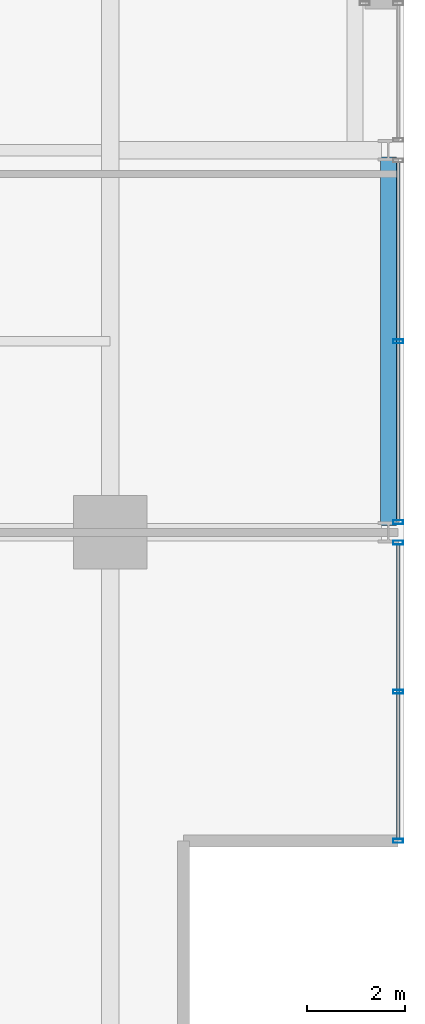
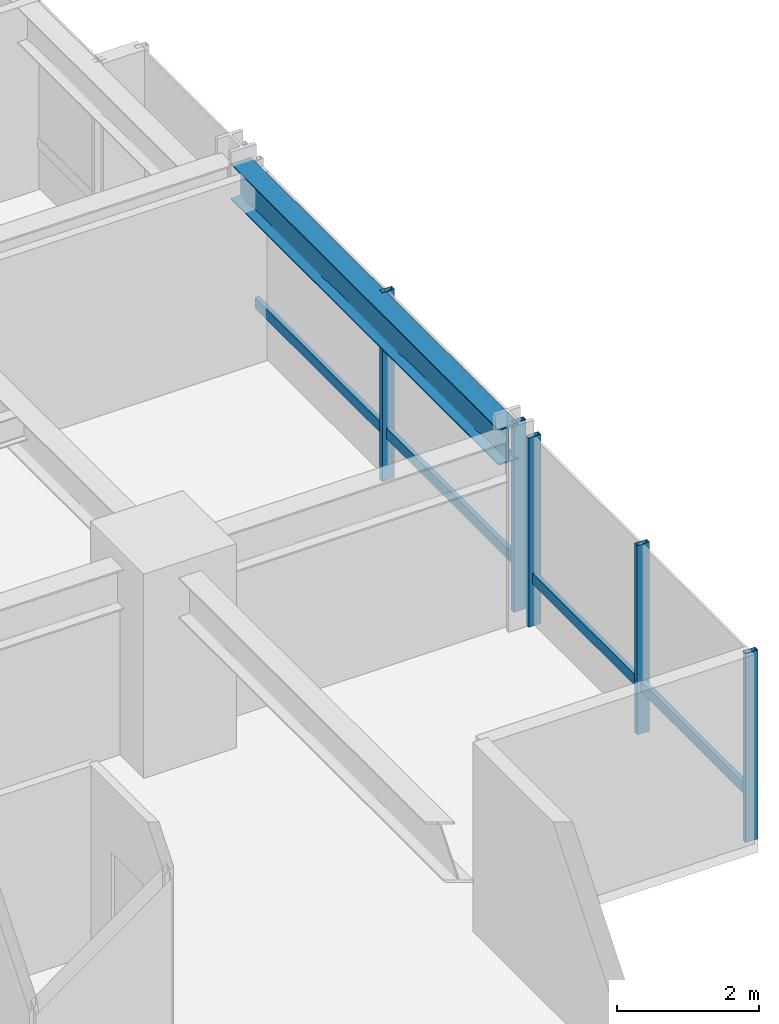
# One storey, part 13 of 35: 7 members, 1 beam, 2 elements without a shape of their own.
"""IFC4 building model written with IfcOpenShell, lengths in metres."""

from ifc_helpers import new_model, si_unit, direction, frame, origin, origin_2d, place, context, subcontext, project, spatial, hollow_rectangle, i_section, extrude, material, layer, layer_set, material_profile, profile_set, type_object, element, aggregate, save


model = new_model("IFC4")

# Units and contexts
model_context = context("Model", 3, precision=1e-05, world=origin(), true_north=direction((0.0, 1.0)))
body_context = subcontext(model_context, "Body", "Model", "MODEL_VIEW")
ifc_project = project(units=[si_unit("LENGTHUNIT", "METRE"), si_unit("AREAUNIT", "SQUARE_METRE"), si_unit("VOLUMEUNIT", "CUBIC_METRE"), si_unit("PLANEANGLEUNIT", "RADIAN"), si_unit("MASSUNIT", "GRAM", prefix="KILO")], contexts=[model_context])

# Site, building, storey
site_placement = place(None, origin())
site = spatial("IfcSite", under=ifc_project, at=site_placement, CompositionType="ELEMENT")
building_placement = place(site_placement, origin())
building = spatial("IfcBuilding", under=site, at=building_placement, Name="Drelvath Grand Hotel", CompositionType="ELEMENT")
storey_placement = place(building_placement, frame((0.0, 0.0, 130.300048828125)))
storey = spatial("IfcBuildingStorey", under=building, at=storey_placement, Name="L33", CompositionType="ELEMENT", Elevation=130.300048828125)

# Curtain wall, member
ifc_material_1 = material(Name="Champagne Bronze Anodised Aluminium Frame", Category="aluminium")
ifc_layer = layer(ifc_material_1, 0.199951171875)
ifc_layer_set = layer_set([ifc_layer], Name="Champagne Bronze Anodised Aluminium Frame")
curtain_wall_type = type_object("IfcCurtainWallType", Name="Stick Curtain Wall CW-03 Champagne Bronze Mid-Rise", PredefinedType="NOTDEFINED", material=ifc_layer_set)
curtain_wall_1_placement = place(storey_placement, origin())
curtain_wall_1 = element("IfcCurtainWall", 1, at=curtain_wall_1_placement, inside=storey, type_object=curtain_wall_type, Name="L33 CW-03 Curtain Wall CW03-L33-ES1", PredefinedType="NOTDEFINED")
ifc_material_profile_1 = material_profile(ifc_material_1, hollow_rectangle(XDim=0.074951171875, YDim=0.179931640625, WallThickness=0.0048828125, at=origin_2d()), Name="HSS180X75X5")
ifc_profile_set_1 = profile_set([ifc_material_profile_1], Name="Champagne Bronze Anodised Aluminium Frame")
member_type_1 = type_object("IfcMemberType", Name="Curtain Wall Horizontal Transom CW-03 HSS180X75X5", PredefinedType="USERDEFINED", material=ifc_profile_set_1)
member_1_placement = place(storey_placement, frame((22.080078125, 10.550537109375, 0.81005859375), z_axis=(0.0, -1.0, 0.0), x_axis=(1.0, 0.0, 0.0)))
member_1 = element("IfcMember", 2, at=member_1_placement, type_object=member_type_1, Name="CW03-L33-ES1 Sill Transom", ObjectType="TRANSOM", PredefinedType="USERDEFINED", context=body_context, shape_type="SweptSolid", body=[
    extrude(hollow_rectangle(XDim=0.074951171875, YDim=0.179931640625, WallThickness=0.0048828125, at=origin_2d()), origin(), (0.0, 0.0, 1.0), 6.010498046875),
])

curtain_wall_2_placement = place(storey_placement, origin())
curtain_wall_2 = element("IfcCurtainWall", 3, at=curtain_wall_2_placement, inside=storey, type_object=curtain_wall_type, Name="L33 CW-03 Curtain Wall CW03-L33-ES2", PredefinedType="NOTDEFINED")
member_2_placement = place(storey_placement, frame((22.080078125, 18.3505859375, 0.81005859375), z_axis=(0.0, -1.0, 0.0), x_axis=(1.0, 0.0, 0.0)))
member_2 = element("IfcMember", 4, at=member_2_placement, type_object=member_type_1, Name="CW03-L33-ES2 Sill Transom", ObjectType="TRANSOM", PredefinedType="USERDEFINED", context=body_context, shape_type="SweptSolid", body=[
    extrude(hollow_rectangle(XDim=0.074951171875, YDim=0.179931640625, WallThickness=0.0048828125, at=origin_2d()), origin(), (0.0, 0.0, 1.0), 7.30126953125),
])

# Member
ifc_material_profile_2 = material_profile(ifc_material_1, hollow_rectangle(XDim=0.080078125, YDim=0.199951171875, WallThickness=0.0048828125, at=origin_2d()), Name="HSS200X80X5")
ifc_profile_set_2 = profile_set([ifc_material_profile_2], Name="Champagne Bronze Anodised Aluminium Frame")
member_type_2 = type_object("IfcMemberType", Name="Curtain Wall Vertical Mullion CW-03 HSS200X80X5", PredefinedType="MULLION", material=ifc_profile_set_2)
member_3_placement = place(storey_placement, frame((22.080078125, 10.590576171875, 0.0), z_axis=(0.0, 0.0, 1.0), x_axis=(0.0, 1.0, 0.0)))
member_3 = element("IfcMember", 5, at=member_3_placement, type_object=member_type_2, Name="CW03-L33-ES1 Mullion 1", PredefinedType="MULLION", context=body_context, shape_type="SweptSolid", body=[
    extrude(hollow_rectangle(XDim=0.080078125, YDim=0.199951171875, WallThickness=0.0048828125, at=origin_2d()), origin(), (0.0, 0.0, 1.0), 3.239990234375),
])

member_4_placement = place(storey_placement, frame((22.080078125, 7.54541015625, 0.0), z_axis=(0.0, 0.0, 1.0), x_axis=(0.0, 1.0, 0.0)))
member_4 = element("IfcMember", 6, at=member_4_placement, type_object=member_type_2, Name="CW03-L33-ES1 Mullion 2", PredefinedType="MULLION", context=body_context, shape_type="SweptSolid", body=[
    extrude(hollow_rectangle(XDim=0.080078125, YDim=0.199951171875, WallThickness=0.0048828125, at=origin_2d()), origin(), (0.0, 0.0, 1.0), 3.239990234375),
])

member_5_placement = place(storey_placement, frame((22.080078125, 4.5, 0.0), z_axis=(0.0, 0.0, 1.0), x_axis=(0.0, 1.0, 0.0)))
member_5 = element("IfcMember", 7, at=member_5_placement, type_object=member_type_2, Name="CW03-L33-ES1 Mullion 3", PredefinedType="MULLION", context=body_context, shape_type="SweptSolid", body=[
    extrude(hollow_rectangle(XDim=0.080078125, YDim=0.199951171875, WallThickness=0.0048828125, at=origin_2d()), origin(), (0.0, 0.0, 1.0), 3.239990234375),
])

aggregate(curtain_wall_1, [member_3, member_4, member_5, member_1])

member_6_placement = place(storey_placement, frame((22.080078125, 14.699951171875, 0.0), z_axis=(0.0, 0.0, 1.0), x_axis=(0.0, 1.0, 0.0)))
member_6 = element("IfcMember", 8, at=member_6_placement, type_object=member_type_2, Name="CW03-L33-ES2 Mullion 2", PredefinedType="MULLION", context=body_context, shape_type="SweptSolid", body=[
    extrude(hollow_rectangle(XDim=0.080078125, YDim=0.199951171875, WallThickness=0.0048828125, at=origin_2d()), origin(), (0.0, 0.0, 1.0), 3.239990234375),
])

member_7_placement = place(storey_placement, frame((22.080078125, 11.009521484375, 0.0), z_axis=(0.0, 0.0, 1.0), x_axis=(0.0, 1.0, 0.0)))
member_7 = element("IfcMember", 9, at=member_7_placement, type_object=member_type_2, Name="CW03-L33-ES2 Mullion 3", PredefinedType="MULLION", context=body_context, shape_type="SweptSolid", body=[
    extrude(hollow_rectangle(XDim=0.080078125, YDim=0.199951171875, WallThickness=0.0048828125, at=origin_2d()), origin(), (0.0, 0.0, 1.0), 3.239990234375),
])

aggregate(curtain_wall_2, [member_6, member_7, member_2])

# Beam
ifc_material_2 = material(Name="Steel ASTM A992 Gr 50", Category="steel")
ifc_material_profile_3 = material_profile(ifc_material_2, i_section(OverallWidth=0.323974609375, OverallDepth=0.611083984375, WebThickness=0.0126953125, FlangeThickness=0.01904296875, FilletRadius=0.02197265625, at=origin_2d()), Name="W24X104")
ifc_profile_set_3 = profile_set([ifc_material_profile_3], Name="Steel ASTM A992 Gr 50")
beam_type = type_object("IfcBeamType", Name="Perimeter Spandrel Beam W24X104", PredefinedType="SPANDREL", material=ifc_profile_set_3)
beam_placement = place(storey_placement, frame((21.8798828125, 10.93994140625, 2.934326171875), z_axis=(0.0, 1.0, 0.0), x_axis=(-1.0, 0.0, 0.0)))
element("IfcBeam", 10, at=beam_placement, inside=storey, type_object=beam_type, Name="L33 Spandrel East S", PredefinedType="SPANDREL", context=body_context, shape_type="SweptSolid", body=[
    extrude(i_section(OverallWidth=0.323974609375, OverallDepth=0.611083984375, WebThickness=0.0126953125, FlangeThickness=0.01904296875, FilletRadius=0.02197265625, at=origin_2d()), origin(), (0.0, 0.0, 1.0), 7.52001953125),
])

save(model, "model.ifc")
